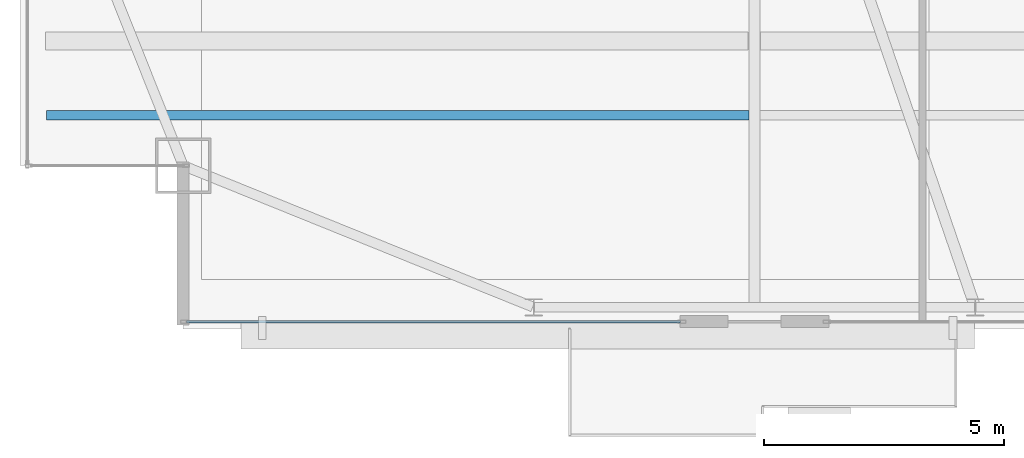
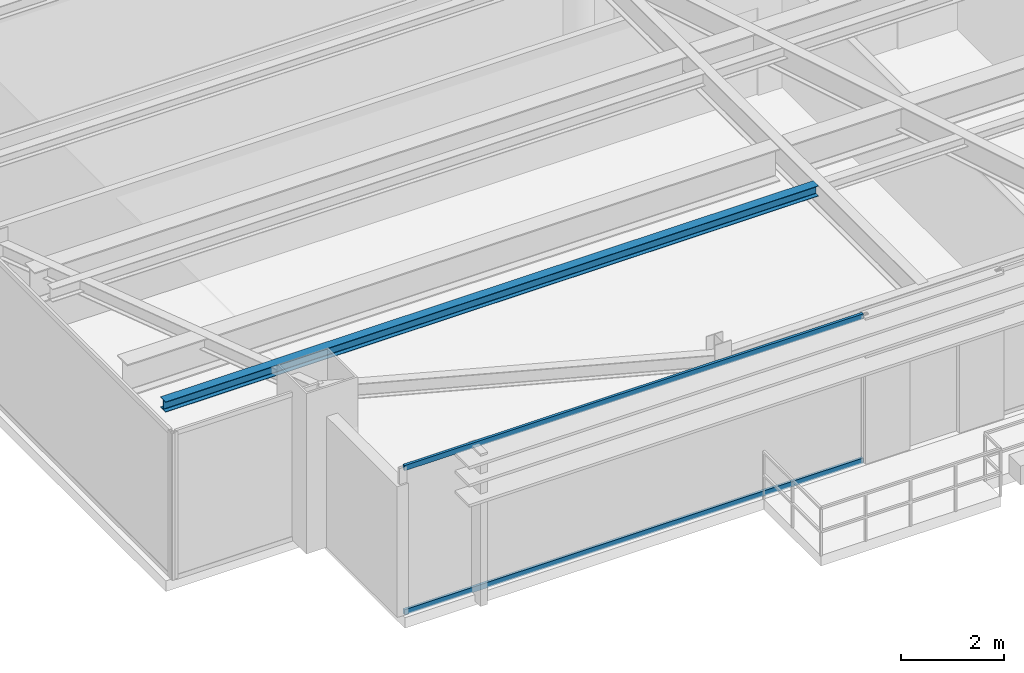
# One storey, part 5 of 28: 2 members, 1 beam, 1 element without a shape of its own.
"""IFC4 building model written with IfcOpenShell, lengths in metres."""

from ifc_helpers import new_model, si_unit, direction, frame, origin, origin_2d, place, context, subcontext, project, spatial, hollow_rectangle, i_section, extrude, source, transform, mapped, material, layer, layer_set, material_profile, profile_set, type_object, type_shapes, element, aggregate, save


model = new_model("IFC4")

# Units and contexts
model_context = context("Model", 3, precision=1e-05, world=origin(), true_north=direction((0.0, 1.0)))
body_context = subcontext(model_context, "Body", "Model", "MODEL_VIEW")
ifc_project = project(units=[si_unit("LENGTHUNIT", "METRE"), si_unit("AREAUNIT", "SQUARE_METRE"), si_unit("VOLUMEUNIT", "CUBIC_METRE"), si_unit("PLANEANGLEUNIT", "RADIAN"), si_unit("MASSUNIT", "GRAM", prefix="KILO")], contexts=[model_context])

# Site, building, storey
site_placement = place(None, origin())
site = spatial("IfcSite", under=ifc_project, at=site_placement, CompositionType="ELEMENT")
building_placement = place(site_placement, origin())
building = spatial("IfcBuilding", under=site, at=building_placement, Name="Varnel Quay Broadcast Tower", CompositionType="ELEMENT")
storey_placement = place(building_placement, frame((0.0, 0.0, 230.199951171875)))
storey = spatial("IfcBuildingStorey", under=building, at=storey_placement, Name="L57", CompositionType="ELEMENT", Elevation=230.199951171875)

# Beam
ifc_material_1 = material(Name="Structural Steel CSA G40.21 350W", Category="steel")
ifc_material_profile_1 = material_profile(ifc_material_1, i_section(OverallWidth=0.201904296875, OverallDepth=0.2470703125, WebThickness=0.00732421875, FlangeThickness=0.010986328125, FilletRadius=0.010986328125, at=origin_2d()), Name="W250X49")
ifc_profile_set_1 = profile_set([ifc_material_profile_1], Name="Structural Steel CSA G40.21 350W")
beam_type = type_object("IfcBeamType", Name="Beam_W250X49", PredefinedType="JOIST", material=ifc_profile_set_1)
shared_shape_1 = source(origin(), body_context, "Body", "SweptSolid", [
    extrude(i_section(OverallWidth=0.201904296875, OverallDepth=0.2470703125, WebThickness=0.00732421875, FlangeThickness=0.010986328125, FilletRadius=0.010986328125, at=origin_2d()), origin(), (0.0, 0.0, 1.0), 14.642333984375),
])
type_shapes(beam_type, [shared_shape_1])
beam_placement = place(storey_placement, frame((10.047607421875, 14.64990234375, 3.3564453125), z_axis=(1.0, 0.0, 0.0), x_axis=(0.0, 1.0, 0.0)))
element("IfcBeam", 1, at=beam_placement, inside=storey, type_object=beam_type, Name="L57 West Floor Joist 1", PredefinedType="JOIST", context=body_context, shape_type="MappedRepresentation", body=[
    mapped(shared_shape_1, transform((0.0, 0.0, 0.0), x_axis=(1.0, 0.0, 0.0), y_axis=(0.0, 1.0, 0.0), z_axis=(0.0, 0.0, 1.0), scale=1.0)),
])

# Curtain wall, members
ifc_material_2 = material(Name="Anodised Bronze Aluminium 6063-T6", Category="aluminium")
ifc_layer = layer(ifc_material_2, 0.18994140625, Name="Anodised Bronze Aluminium 6063-T6")
ifc_layer_set = layer_set([ifc_layer], Name="Anodised Bronze Aluminium 6063-T6")
curtain_wall_type = type_object("IfcCurtainWallType", Name="CW_UpperTower", PredefinedType="NOTDEFINED", material=ifc_layer_set)
curtain_wall_placement = place(storey_placement, origin())
curtain_wall = element("IfcCurtainWall", 2, at=curtain_wall_placement, inside=storey, type_object=curtain_wall_type, Name="L57 South Unitised Curtain Wall 1", PredefinedType="NOTDEFINED")
ifc_material_profile_2 = material_profile(ifc_material_2, hollow_rectangle(XDim=0.06005859375, YDim=0.125, WallThickness=0.0029296875, at=origin_2d()), Name="ALU60X125X3")
ifc_profile_set_2 = profile_set([ifc_material_profile_2], Name="Anodised Bronze Aluminium 6063-T6")
member_type = type_object("IfcMemberType", Name="Tran_CWS-03", PredefinedType="USERDEFINED", material=ifc_profile_set_2)
shared_shape_2 = source(origin(), body_context, "Body", "SweptSolid", [
    extrude(hollow_rectangle(XDim=0.06005859375, YDim=0.125, WallThickness=0.0029296875, at=origin_2d()), origin(), (0.0, 0.0, 1.0), 10.289794921875),
])
type_shapes(member_type, [shared_shape_2])
member_1_placement = place(storey_placement, frame((12.965087890625, 10.35009765625, 0.030029296875), z_axis=(1.0, 0.0, 0.0), x_axis=(0.0, 1.0, 0.0)))
member_1 = element("IfcMember", 3, at=member_1_placement, type_object=member_type, Name="CWS-03 transom 1.1", ObjectType="TRANSOM", PredefinedType="USERDEFINED", context=body_context, shape_type="MappedRepresentation", body=[
    mapped(shared_shape_2, transform((0.0, 0.0, 0.0), x_axis=(1.0, 0.0, 0.0), y_axis=(0.0, 1.0, 0.0), z_axis=(0.0, 0.0, 1.0), scale=1.0)),
])
member_2_placement = place(storey_placement, frame((12.965087890625, 10.35009765625, 3.449951171875), z_axis=(1.0, 0.0, 0.0), x_axis=(0.0, 1.0, 0.0)))
member_2 = element("IfcMember", 4, at=member_2_placement, type_object=member_type, Name="CWS-03 transom 1.2", ObjectType="TRANSOM", PredefinedType="USERDEFINED", context=body_context, shape_type="MappedRepresentation", body=[
    mapped(shared_shape_2, transform((0.0, 0.0, 0.0), x_axis=(1.0, 0.0, 0.0), y_axis=(0.0, 1.0, 0.0), z_axis=(0.0, 0.0, 1.0), scale=1.0)),
])
aggregate(curtain_wall, [member_1, member_2])

save(model, "model.ifc")
